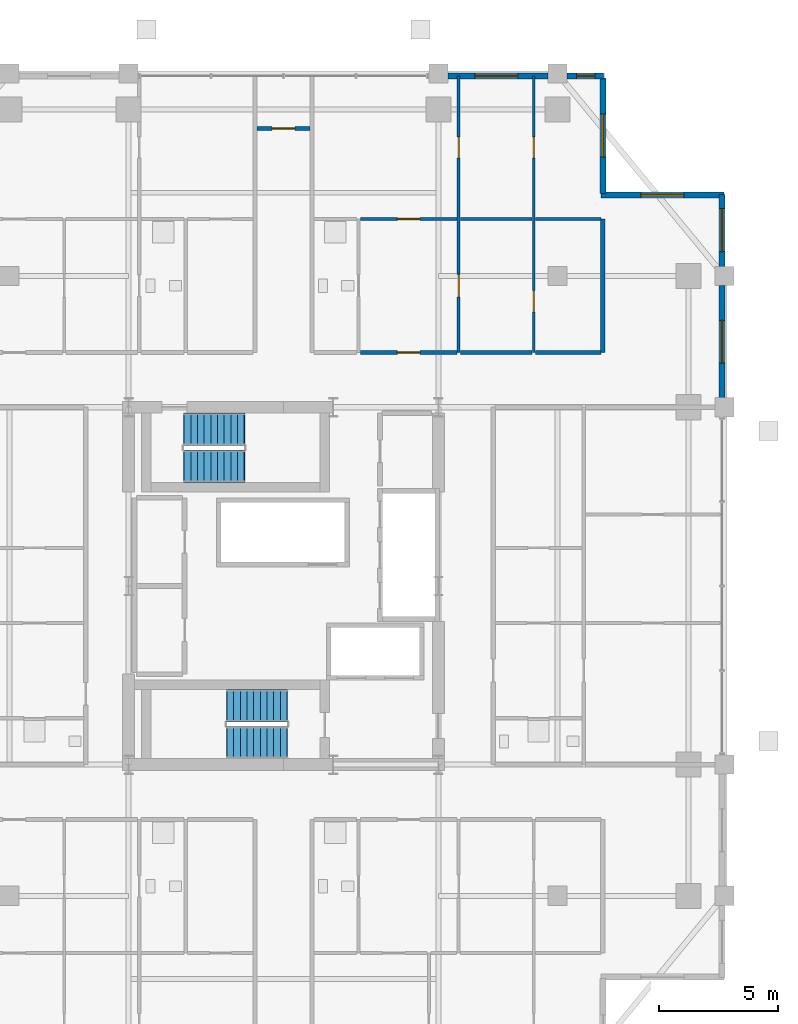
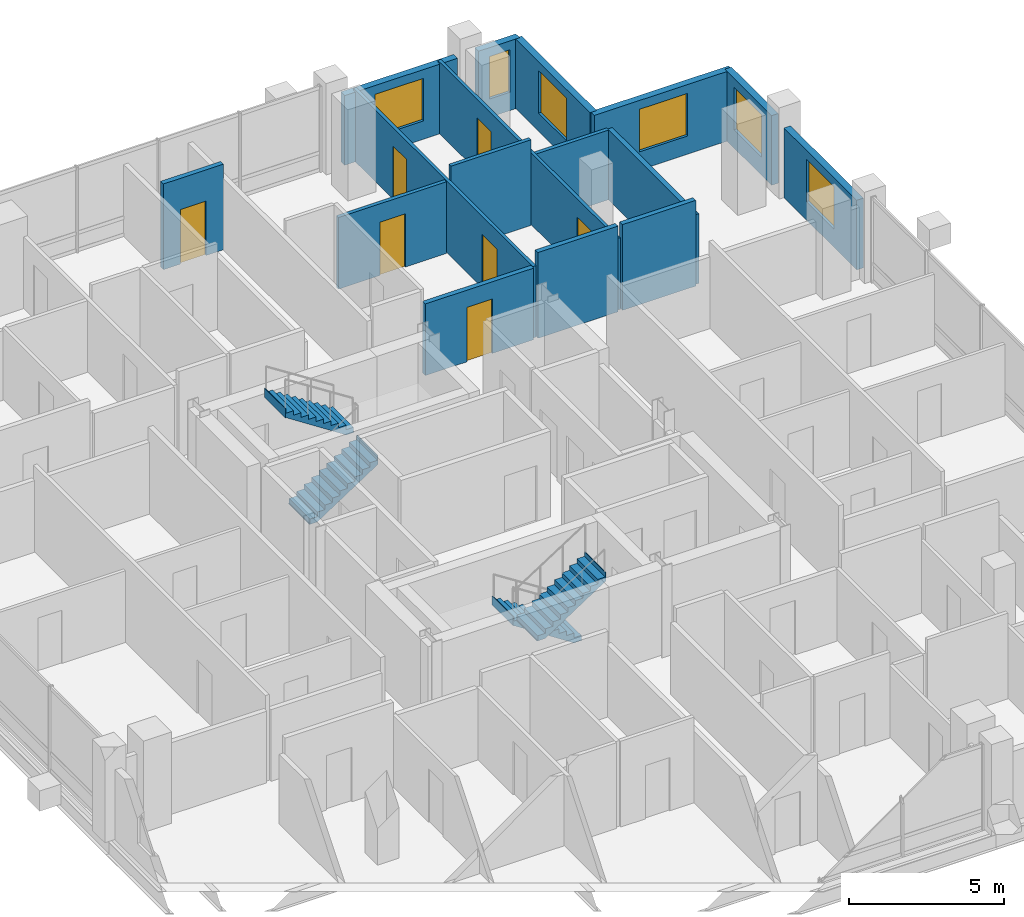
# One storey, part 22 of 24: 16 walls, 7 doors, 6 windows, 4 stair flights, 13 openings, 2 elements without a shape of their own.
"""IFC4 building model written with IfcOpenShell, lengths in metres."""

from ifc_helpers import new_model, si_unit, direction, frame, frame_2d, origin, place, context, subcontext, project, spatial, polyline, rectangle, outline, extrude, material, layer, layer_set, type_object, element, fill, aggregate, save


model = new_model("IFC4")

# Units and contexts
model_context = context("Model", 3, precision=1e-05, world=origin(), true_north=direction((0.0, 1.0)))
body_context = subcontext(model_context, "Body", "Model", "MODEL_VIEW")
ifc_project = project(units=[si_unit("LENGTHUNIT", "METRE"), si_unit("AREAUNIT", "SQUARE_METRE"), si_unit("VOLUMEUNIT", "CUBIC_METRE"), si_unit("PLANEANGLEUNIT", "RADIAN"), si_unit("MASSUNIT", "GRAM", prefix="KILO")], contexts=[model_context])

# Site, building, storey
site_placement = place(None, origin())
site = spatial("IfcSite", under=ifc_project, at=site_placement, CompositionType="ELEMENT")
building_placement = place(site_placement, origin())
building = spatial("IfcBuilding", under=site, at=building_placement, Name="Barlavira Tower and Art Museum", CompositionType="ELEMENT")
storey_placement = place(building_placement, frame((0.0, 0.0, 169.199951171875)))
storey = spatial("IfcBuildingStorey", under=building, at=storey_placement, Name="L43", CompositionType="ELEMENT", Elevation=169.199951171875)

# Wall, openings, doors
ifc_material_1 = material(Name="Gypsum acoustic stud partition", Category="gypsum")
ifc_layer_1 = layer(ifc_material_1, 0.1201171875, Name="Gypsum acoustic stud partition")
ifc_layer_set_1 = layer_set([ifc_layer_1], Name="Gypsum acoustic stud partition")
wall_type_1 = type_object("IfcWallType", Name="Apartment Internal Acoustic Partition 120", PredefinedType="PARTITIONING", material=ifc_layer_set_1)
wall_1_placement = place(storey_placement, frame((7.35009765625, 9.800048828125, 0.0), z_axis=(0.0, 0.0, 1.0), x_axis=(0.0, 1.0, 0.0)))
wall_1 = element("IfcWall", 1, at=wall_1_placement, inside=storey, type_object=wall_type_1, Name="L43 Partition Wall 22", PredefinedType="PARTITIONING", context=body_context, shape_type="SweptSolid", body=[
    extrude(rectangle(XDim=11.599853515625, YDim=0.1201171875, at=frame_2d((5.7998046875, 0.0))), origin(), (0.0, 0.0, 1.0), 2.825927734375),
])
opening_1_placement = place(wall_1_placement, frame((2.324951171875, 0.0, 0.0)))
opening_1 = element("IfcOpeningElement", 2, at=opening_1_placement, cuts=wall_1, Name="Opening D-02", PredefinedType="OPENING", context=body_context, shape_type="SweptSolid", body=[
    extrude(rectangle(XDim=0.949951171875, YDim=2.10009765625, at=frame_2d((0.47509765625, 1.050048828125))), frame((0.0, 0.070068359375, 0.0), z_axis=(0.0, -1.0, 0.0), x_axis=(1.0, 0.0, 0.0)), (0.0, 0.0, 1.0), 0.14013671875),
])
opening_2_placement = place(wall_1_placement, frame((8.14990234375, 0.0, 0.0)))
opening_2 = element("IfcOpeningElement", 3, at=opening_2_placement, cuts=wall_1, Name="Opening D-01", PredefinedType="OPENING", context=body_context, shape_type="SweptSolid", body=[
    extrude(rectangle(XDim=0.89990234375, YDim=2.10009765625, at=frame_2d((0.449951171875, 1.050048828125))), frame((0.0, 0.070068359375, 0.0), z_axis=(0.0, -1.0, 0.0), x_axis=(1.0, 0.0, 0.0)), (0.0, 0.0, 1.0), 0.14013671875),
])
ifc_material_2 = material(Name="Engineered coastal hardwood", Category="wood")
door_type_1 = type_object("IfcDoorType", Name="Internal Bedroom Timber Flush Door 900x2100", OperationType="NOTDEFINED", PredefinedType="DOOR", material=ifc_material_2)
door_1_placement = place(opening_2_placement, origin())
door_1 = element("IfcDoor", 4, at=door_1_placement, inside=storey, type_object=door_type_1, Name="Apartment NE1 Bedroom 1 Door", OperationType="SINGLE_SWING_RIGHT", OverallHeight=2.10009765625, OverallWidth=0.89990234375, PredefinedType="DOOR", context=body_context, shape_type="SweptSolid", body=[
    extrude(rectangle(XDim=0.89990234375, YDim=2.10009765625, at=frame_2d((0.449951171875, 1.050048828125))), frame((0.0, 0.02490234375, 0.0), z_axis=(0.0, -1.0, 0.0), x_axis=(1.0, 0.0, 0.0)), (0.0, 0.0, 1.0), 0.050048828125),
])
fill(opening_2, door_1)
door_type_2 = type_object("IfcDoorType", Name="Living and Salon Glazed-Leaf Door 950x2100", OperationType="NOTDEFINED", PredefinedType="DOOR", material=ifc_material_2)
door_2_placement = place(opening_1_placement, origin())
door_2 = element("IfcDoor", 5, at=door_2_placement, inside=storey, type_object=door_type_2, Name="Apartment NE1 Kitchen Door", OperationType="SINGLE_SWING_LEFT", OverallHeight=2.10009765625, OverallWidth=0.949951171875, PredefinedType="DOOR", context=body_context, shape_type="SweptSolid", body=[
    extrude(rectangle(XDim=0.949951171875, YDim=2.10009765625, at=frame_2d((0.47509765625, 1.050048828125))), frame((0.0, 0.02490234375, 0.0), z_axis=(0.0, -1.0, 0.0), x_axis=(1.0, 0.0, 0.0)), (0.0, 0.0, 1.0), 0.050048828125),
])
fill(opening_1, door_2)

wall_2_placement = place(storey_placement, frame((10.5, 9.800048828125, 0.0), z_axis=(0.0, 0.0, 1.0), x_axis=(0.0, 1.0, 0.0)))
wall_2 = element("IfcWall", 6, at=wall_2_placement, inside=storey, type_object=wall_type_1, Name="L43 Partition Wall 25", PredefinedType="PARTITIONING", context=body_context, shape_type="SweptSolid", body=[
    extrude(rectangle(XDim=11.599853515625, YDim=0.1201171875, at=frame_2d((5.7998046875, 0.0))), origin(), (0.0, 0.0, 1.0), 2.825927734375),
])
opening_3_placement = place(wall_2_placement, frame((1.694091796875, 0.0, 0.0)))
opening_3 = element("IfcOpeningElement", 7, at=opening_3_placement, cuts=wall_2, Name="Opening D-01", PredefinedType="OPENING", context=body_context, shape_type="SweptSolid", body=[
    extrude(rectangle(XDim=0.89990234375, YDim=2.10009765625, at=frame_2d((0.449951171875, 1.050048828125))), frame((0.0, 0.070068359375, 0.0), z_axis=(0.0, -1.0, 0.0), x_axis=(1.0, 0.0, 0.0)), (0.0, 0.0, 1.0), 0.14013671875),
])
opening_4_placement = place(wall_2_placement, frame((8.14990234375, 0.0, 0.0)))
opening_4 = element("IfcOpeningElement", 8, at=opening_4_placement, cuts=wall_2, Name="Opening D-01", PredefinedType="OPENING", context=body_context, shape_type="SweptSolid", body=[
    extrude(rectangle(XDim=0.89990234375, YDim=2.10009765625, at=frame_2d((0.449951171875, 1.050048828125))), frame((0.0, 0.070068359375, 0.0), z_axis=(0.0, -1.0, 0.0), x_axis=(1.0, 0.0, 0.0)), (0.0, 0.0, 1.0), 0.14013671875),
])
door_3_placement = place(opening_3_placement, origin())
door_3 = element("IfcDoor", 9, at=door_3_placement, inside=storey, type_object=door_type_1, Name="Apartment NE1 Walk-In Dressing Room Door", OperationType="SINGLE_SWING_RIGHT", OverallHeight=2.10009765625, OverallWidth=0.89990234375, PredefinedType="DOOR", context=body_context, shape_type="SweptSolid", body=[
    extrude(rectangle(XDim=0.89990234375, YDim=2.10009765625, at=frame_2d((0.449951171875, 1.050048828125))), frame((0.0, 0.02490234375, 0.0), z_axis=(0.0, -1.0, 0.0), x_axis=(1.0, 0.0, 0.0)), (0.0, 0.0, 1.0), 0.050048828125),
])
fill(opening_3, door_3)
door_4_placement = place(opening_4_placement, origin())
door_4 = element("IfcDoor", 10, at=door_4_placement, inside=storey, type_object=door_type_1, Name="Apartment NE1 Sunroom Lounge 2 Door", OperationType="SINGLE_SWING_LEFT", OverallHeight=2.10009765625, OverallWidth=0.89990234375, PredefinedType="DOOR", context=body_context, shape_type="SweptSolid", body=[
    extrude(rectangle(XDim=0.89990234375, YDim=2.10009765625, at=frame_2d((0.449951171875, 1.050048828125))), frame((0.0, 0.02490234375, 0.0), z_axis=(0.0, -1.0, 0.0), x_axis=(1.0, 0.0, 0.0)), (0.0, 0.0, 1.0), 0.050048828125),
])
fill(opening_4, door_4)

# Wall
ifc_layer_2 = layer(ifc_material_1, 0.179931640625, Name="Gypsum acoustic stud partition")
ifc_layer_set_2 = layer_set([ifc_layer_2], Name="Gypsum acoustic stud partition")
wall_type_2 = type_object("IfcWallType", Name="Inter-Tenancy Party Partition Wall 180", PredefinedType="PARTITIONING", material=ifc_layer_set_2)
wall_3_placement = place(storey_placement, frame((13.39990234375, 9.800048828125, 0.0), z_axis=(0.0, 0.0, 1.0), x_axis=(0.0, 1.0, 0.0)))
element("IfcWall", 11, at=wall_3_placement, inside=storey, type_object=wall_type_2, Name="L43 Partition Wall 28", PredefinedType="PARTITIONING", context=body_context, shape_type="SweptSolid", body=[
    extrude(rectangle(XDim=5.599853515625, YDim=0.179931640625, at=frame_2d((2.7998046875, 0.0))), origin(), (0.0, 0.0, 1.0), 2.748046875),
])

# Wall, opening, door
wall_4_placement = place(storey_placement, frame((3.22998046875, 9.800048828125, 0.0), z_axis=(0.0, 0.0, 1.0), x_axis=(1.0, 0.0, 0.0)))
wall_4 = element("IfcWall", 12, at=wall_4_placement, inside=storey, type_object=wall_type_2, Name="L43 Partition Wall 73", PredefinedType="PARTITIONING", context=body_context, shape_type="SweptSolid", body=[
    extrude(rectangle(XDim=4.0400390625, YDim=0.179931640625, at=frame_2d((2.02001953125, 0.0))), origin(), (0.0, 0.0, 1.0), 2.825927734375),
])
opening_5_placement = place(wall_4_placement, frame((1.544921875, 0.0, 0.0)))
opening_5 = element("IfcOpeningElement", 13, at=opening_5_placement, cuts=wall_4, Name="Opening FD-60", PredefinedType="OPENING", context=body_context, shape_type="SweptSolid", body=[
    extrude(rectangle(XDim=0.949951171875, YDim=2.14990234375, at=frame_2d((0.47509765625, 1.074951171875))), frame((0.0, 0.10009765625, 0.0), z_axis=(0.0, -1.0, 0.0), x_axis=(1.0, 0.0, 0.0)), (0.0, 0.0, 1.0), 0.199951171875),
])
ifc_material_3 = material(Name="Brushed stainless steel", Category="steel")
door_type_3 = type_object("IfcDoorType", Name="Apartment Entrance and Riser Fire Door 950x2150 FD60S", OperationType="NOTDEFINED", PredefinedType="DOOR", material=ifc_material_3)
door_5_placement = place(opening_5_placement, origin())
door_5 = element("IfcDoor", 14, at=door_5_placement, inside=storey, type_object=door_type_3, Name="Apartment Entrance Hall NE1 Door", OperationType="SINGLE_SWING_RIGHT", OverallHeight=2.14990234375, OverallWidth=0.949951171875, PredefinedType="DOOR", context=body_context, shape_type="SweptSolid", body=[
    extrude(rectangle(XDim=0.949951171875, YDim=2.14990234375, at=frame_2d((0.47509765625, 1.074951171875))), frame((0.0, 0.02490234375, 0.0), z_axis=(0.0, -1.0, 0.0), x_axis=(1.0, 0.0, 0.0)), (0.0, 0.0, 1.0), 0.050048828125),
])
fill(opening_5, door_5)

# Walls
wall_5_placement = place(storey_placement, frame((7.429931640625, 9.800048828125, 0.0), z_axis=(0.0, 0.0, 1.0), x_axis=(1.0, 0.0, 0.0)))
element("IfcWall", 15, at=wall_5_placement, inside=storey, type_object=wall_type_2, Name="L43 Partition Wall 74", PredefinedType="PARTITIONING", context=body_context, shape_type="SweptSolid", body=[
    extrude(rectangle(XDim=2.989990234375, YDim=0.179931640625, at=frame_2d((1.4951171875, 0.0))), origin(), (0.0, 0.0, 1.0), 3.380126953125),
])
wall_6_placement = place(storey_placement, frame((10.580078125, 9.800048828125, 0.0), z_axis=(0.0, 0.0, 1.0), x_axis=(1.0, 0.0, 0.0)))
element("IfcWall", 16, at=wall_6_placement, inside=storey, type_object=wall_type_2, Name="L43 Partition Wall 75", PredefinedType="PARTITIONING", context=body_context, shape_type="SweptSolid", body=[
    extrude(rectangle(XDim=2.739990234375, YDim=0.179931640625, at=frame_2d((1.3701171875, 0.0))), origin(), (0.0, 0.0, 1.0), 3.380126953125),
])

# Wall, opening, door
wall_7_placement = place(storey_placement, frame((-1.1201171875, 19.199951171875, 0.0), z_axis=(0.0, 0.0, 1.0), x_axis=(1.0, 0.0, 0.0)))
wall_7 = element("IfcWall", 17, at=wall_7_placement, inside=storey, type_object=wall_type_2, Name="L43 Partition Wall 84", PredefinedType="PARTITIONING", context=body_context, shape_type="SweptSolid", body=[
    extrude(rectangle(XDim=2.240234375, YDim=0.179931640625, at=frame_2d((1.1201171875, 0.0))), origin(), (0.0, 0.0, 1.0), 3.380126953125),
])
opening_6_placement = place(wall_7_placement, frame((0.64501953125, 0.0, 0.0)))
opening_6 = element("IfcOpeningElement", 18, at=opening_6_placement, cuts=wall_7, Name="Opening FD-60", PredefinedType="OPENING", context=body_context, shape_type="SweptSolid", body=[
    extrude(rectangle(XDim=0.949951171875, YDim=2.14990234375, at=frame_2d((0.47509765625, 1.074951171875))), frame((0.0, 0.10009765625, 0.0), z_axis=(0.0, -1.0, 0.0), x_axis=(1.0, 0.0, 0.0)), (0.0, 0.0, 1.0), 0.199951171875),
])
door_6_placement = place(opening_6_placement, origin())
door_6 = element("IfcDoor", 19, at=door_6_placement, inside=storey, type_object=door_type_3, Name="L43 North Ocean Alcove Door", OperationType="SINGLE_SWING_RIGHT", OverallHeight=2.14990234375, OverallWidth=0.949951171875, PredefinedType="DOOR", context=body_context, shape_type="SweptSolid", body=[
    extrude(rectangle(XDim=0.949951171875, YDim=2.14990234375, at=frame_2d((0.47509765625, 1.074951171875))), frame((0.0, 0.02490234375, 0.0), z_axis=(0.0, -1.0, 0.0), x_axis=(1.0, 0.0, 0.0)), (0.0, 0.0, 1.0), 0.050048828125),
])
fill(opening_6, door_6)

ifc_layer_3 = layer(ifc_material_1, 0.139892578125, Name="Gypsum acoustic stud partition")
ifc_layer_set_3 = layer_set([ifc_layer_3], Name="Gypsum acoustic stud partition")
wall_type_3 = type_object("IfcWallType", Name="Moisture-Resistant Bathroom Partition 140", PredefinedType="PARTITIONING", material=ifc_layer_set_3)
wall_8_placement = place(storey_placement, frame((3.22998046875, 15.39990234375, 0.0), z_axis=(0.0, 0.0, 1.0), x_axis=(1.0, 0.0, 0.0)))
wall_8 = element("IfcWall", 20, at=wall_8_placement, inside=storey, type_object=wall_type_3, Name="L43 Partition Wall 81", PredefinedType="PARTITIONING", context=body_context, shape_type="SweptSolid", body=[
    extrude(rectangle(XDim=4.0400390625, YDim=0.139892578125, at=frame_2d((2.02001953125, 0.0))), origin(), (0.0, 0.0, 1.0), 2.825927734375),
])
opening_7_placement = place(wall_8_placement, frame((1.544921875, 0.0, 0.0)))
opening_7 = element("IfcOpeningElement", 21, at=opening_7_placement, cuts=wall_8, Name="Opening D-02", PredefinedType="OPENING", context=body_context, shape_type="SweptSolid", body=[
    extrude(rectangle(XDim=0.949951171875, YDim=2.10009765625, at=frame_2d((0.47509765625, 1.050048828125))), frame((0.0, 0.080078125, 0.0), z_axis=(0.0, -1.0, 0.0), x_axis=(1.0, 0.0, 0.0)), (0.0, 0.0, 1.0), 0.159912109375),
])
door_7_placement = place(opening_7_placement, origin())
door_7 = element("IfcDoor", 22, at=door_7_placement, inside=storey, type_object=door_type_2, Name="Apartment NE1 Living Lounge Door", OperationType="SINGLE_SWING_LEFT", OverallHeight=2.10009765625, OverallWidth=0.949951171875, PredefinedType="DOOR", context=body_context, shape_type="SweptSolid", body=[
    extrude(rectangle(XDim=0.949951171875, YDim=2.10009765625, at=frame_2d((0.47509765625, 1.050048828125))), frame((0.0, 0.02490234375, 0.0), z_axis=(0.0, -1.0, 0.0), x_axis=(1.0, 0.0, 0.0)), (0.0, 0.0, 1.0), 0.050048828125),
])
fill(opening_7, door_7)

# Walls
wall_9_placement = place(storey_placement, frame((7.429931640625, 15.39990234375, 0.0), z_axis=(0.0, 0.0, 1.0), x_axis=(1.0, 0.0, 0.0)))
element("IfcWall", 23, at=wall_9_placement, inside=storey, type_object=wall_type_3, Name="L43 Partition Wall 82", PredefinedType="PARTITIONING", context=body_context, shape_type="SweptSolid", body=[
    extrude(rectangle(XDim=2.989990234375, YDim=0.139892578125, at=frame_2d((1.4951171875, 0.0))), origin(), (0.0, 0.0, 1.0), 3.380126953125),
])
wall_10_placement = place(storey_placement, frame((10.580078125, 15.39990234375, 0.0), z_axis=(0.0, 0.0, 1.0), x_axis=(1.0, 0.0, 0.0)))
element("IfcWall", 24, at=wall_10_placement, inside=storey, type_object=wall_type_3, Name="L43 Partition Wall 83", PredefinedType="PARTITIONING", context=body_context, shape_type="SweptSolid", body=[
    extrude(rectangle(XDim=2.739990234375, YDim=0.139892578125, at=frame_2d((1.3701171875, 0.0))), origin(), (0.0, 0.0, 1.0), 2.748046875),
])

# Wall, opening, window
ifc_material_4 = material(Name="Precast concrete C40", Category="concrete")
ifc_layer_4 = layer(ifc_material_4, 0.25, Name="Precast concrete C40")
ifc_layer_set_4 = layer_set([ifc_layer_4], Name="Precast concrete C40")
wall_type_4 = type_object("IfcWallType", Name="Notched Corner Spandrel Wall 250 Precast Concrete C40", PredefinedType="SOLIDWALL", material=ifc_layer_set_4)
wall_11_placement = place(storey_placement, frame((13.425048828125, 21.39990234375, 0.0), z_axis=(0.0, 0.0, 1.0), x_axis=(-1.0, 0.0, 0.0)))
wall_11 = element("IfcWall", 25, at=wall_11_placement, inside=storey, type_object=wall_type_4, Name="L43 Coastal Facade Pier Wall CW3-L43-N-1", PredefinedType="SOLIDWALL", context=body_context, shape_type="SweptSolid", body=[
    extrude(rectangle(XDim=1.530029296875, YDim=0.25, at=frame_2d((0.76513671875, 0.0))), origin(), (0.0, 0.0, 1.0), 2.748046875),
])
opening_8_placement = place(wall_11_placement, frame((0.363037109375, 0.0, 0.719970703125)))
opening_8 = element("IfcOpeningElement", 26, at=opening_8_placement, cuts=wall_11, Name="Opening WN-06", PredefinedType="OPENING", context=body_context, shape_type="SweptSolid", body=[
    extrude(rectangle(XDim=0.760009765625, YDim=1.679931640625, at=frame_2d((0.3798828125, 0.83984375))), frame((0.0, 0.135009765625, 0.0), z_axis=(0.0, -1.0, 0.0), x_axis=(1.0, 0.0, 0.0)), (0.0, 0.0, 1.0), 0.27001953125),
])
ifc_material_5 = material(Name="Low-iron coastal laminated glass", Category="glass")
window_type_1 = type_object("IfcWindowType", Name="Recessed Narrow Pier Window 760x1680", PartitioningType="SINGLE_PANEL", PredefinedType="WINDOW", material=ifc_material_5)
window_1_placement = place(opening_8_placement, origin())
window_1 = element("IfcWindow", 27, at=window_1_placement, inside=storey, type_object=window_type_1, Name="L43 Punched Facade Window EWP-CW3-L43-N-1-1", OverallHeight=1.679931640625, OverallWidth=0.760009765625, PartitioningType="SINGLE_PANEL", PredefinedType="WINDOW", context=body_context, shape_type="SweptSolid", body=[
    extrude(rectangle(XDim=0.760009765625, YDim=1.679931640625, at=frame_2d((0.3798828125, 0.83984375))), frame((0.0, 0.030029296875, 0.0), z_axis=(0.0, -1.0, 0.0), x_axis=(1.0, 0.0, 0.0)), (0.0, 0.0, 1.0), 0.06005859375),
])
fill(opening_8, window_1)

wall_12_placement = place(storey_placement, frame((11.10498046875, 21.39990234375, 0.0), z_axis=(0.0, 0.0, 1.0), x_axis=(-1.0, 0.0, 0.0)))
wall_12 = element("IfcWall", 28, at=wall_12_placement, inside=storey, type_object=wall_type_4, Name="L43 Coastal Facade Pier Wall CW3-L43-N-2", PredefinedType="SOLIDWALL", context=body_context, shape_type="SweptSolid", body=[
    extrude(rectangle(XDim=4.2099609375, YDim=0.25, at=frame_2d((2.10498046875, 0.0))), origin(), (0.0, 0.0, 1.0), 2.748046875),
])
opening_9_placement = place(wall_12_placement, frame((1.27001953125, 0.0, 0.719970703125)))
opening_9 = element("IfcOpeningElement", 29, at=opening_9_placement, cuts=wall_12, Name="Opening WN-01", PredefinedType="OPENING", context=body_context, shape_type="SweptSolid", body=[
    extrude(rectangle(XDim=1.800048828125, YDim=1.679931640625, at=frame_2d((0.89990234375, 0.83984375))), frame((0.0, 0.135009765625, 0.0), z_axis=(0.0, -1.0, 0.0), x_axis=(1.0, 0.0, 0.0)), (0.0, 0.0, 1.0), 0.27001953125),
])
window_type_2 = type_object("IfcWindowType", Name="Recessed Notch Corner Punch Window 1800x1680", PartitioningType="SINGLE_PANEL", PredefinedType="WINDOW", material=ifc_material_5)
window_2_placement = place(opening_9_placement, origin())
window_2 = element("IfcWindow", 30, at=window_2_placement, inside=storey, type_object=window_type_2, Name="L43 Punched Facade Window EWP-CW3-L43-N-2-1", OverallHeight=1.679931640625, OverallWidth=1.800048828125, PartitioningType="SINGLE_PANEL", PredefinedType="WINDOW", context=body_context, shape_type="SweptSolid", body=[
    extrude(rectangle(XDim=1.800048828125, YDim=1.679931640625, at=frame_2d((0.89990234375, 0.83984375))), frame((0.0, 0.030029296875, 0.0), z_axis=(0.0, -1.0, 0.0), x_axis=(1.0, 0.0, 0.0)), (0.0, 0.0, 1.0), 0.06005859375),
])
fill(opening_9, window_2)

wall_13_placement = place(storey_placement, frame((18.39990234375, 7.89501953125, 0.0), z_axis=(0.0, 0.0, 1.0), x_axis=(0.0, 1.0, 0.0)))
wall_13 = element("IfcWall", 31, at=wall_13_placement, inside=storey, type_object=wall_type_4, Name="L43 Coastal Facade Pier Wall CW3-L43-E-4", PredefinedType="SOLIDWALL", context=body_context, shape_type="SweptSolid", body=[
    extrude(rectangle(XDim=4.7099609375, YDim=0.25, at=frame_2d((2.35498046875, 0.0))), origin(), (0.0, 0.0, 1.0), 2.748046875),
])
opening_10_placement = place(wall_13_placement, frame((1.455078125, 0.0, 0.719970703125)))
opening_10 = element("IfcOpeningElement", 32, at=opening_10_placement, cuts=wall_13, Name="Opening WN-01", PredefinedType="OPENING", context=body_context, shape_type="SweptSolid", body=[
    extrude(rectangle(XDim=1.800048828125, YDim=1.679931640625, at=frame_2d((0.89990234375, 0.83984375))), frame((0.0, 0.135009765625, 0.0), z_axis=(0.0, -1.0, 0.0), x_axis=(1.0, 0.0, 0.0)), (0.0, 0.0, 1.0), 0.27001953125),
])
window_3_placement = place(opening_10_placement, origin())
window_3 = element("IfcWindow", 33, at=window_3_placement, inside=storey, type_object=window_type_2, Name="L43 Punched Facade Window EWP-CW3-L43-E-4-1", OverallHeight=1.679931640625, OverallWidth=1.800048828125, PartitioningType="SINGLE_PANEL", PredefinedType="WINDOW", context=body_context, shape_type="SweptSolid", body=[
    extrude(rectangle(XDim=1.800048828125, YDim=1.679931640625, at=frame_2d((0.89990234375, 0.83984375))), frame((0.0, 0.030029296875, 0.0), z_axis=(0.0, -1.0, 0.0), x_axis=(1.0, 0.0, 0.0)), (0.0, 0.0, 1.0), 0.06005859375),
])
fill(opening_10, window_3)

wall_14_placement = place(storey_placement, frame((18.39990234375, 13.39501953125, 0.0), z_axis=(0.0, 0.0, 1.0), x_axis=(0.0, 1.0, 0.0)))
wall_14 = element("IfcWall", 34, at=wall_14_placement, inside=storey, type_object=wall_type_4, Name="L43 Coastal Facade Pier Wall CW3-L43-E-5", PredefinedType="SOLIDWALL", context=body_context, shape_type="SweptSolid", body=[
    extrude(rectangle(XDim=3.030029296875, YDim=0.25, at=frame_2d((1.51513671875, 0.0))), origin(), (0.0, 0.0, 1.0), 2.748046875),
])
opening_11_placement = place(wall_14_placement, frame((0.637939453125, 0.0, 0.719970703125)))
opening_11 = element("IfcOpeningElement", 35, at=opening_11_placement, cuts=wall_14, Name="Opening WN-01", PredefinedType="OPENING", context=body_context, shape_type="SweptSolid", body=[
    extrude(rectangle(XDim=1.800048828125, YDim=1.679931640625, at=frame_2d((0.89990234375, 0.83984375))), frame((0.0, 0.135009765625, 0.0), z_axis=(0.0, -1.0, 0.0), x_axis=(1.0, 0.0, 0.0)), (0.0, 0.0, 1.0), 0.27001953125),
])
window_4_placement = place(opening_11_placement, origin())
window_4 = element("IfcWindow", 36, at=window_4_placement, inside=storey, type_object=window_type_2, Name="L43 Punched Facade Window EWP-CW3-L43-E-5-1", OverallHeight=1.679931640625, OverallWidth=1.800048828125, PartitioningType="SINGLE_PANEL", PredefinedType="WINDOW", context=body_context, shape_type="SweptSolid", body=[
    extrude(rectangle(XDim=1.800048828125, YDim=1.679931640625, at=frame_2d((0.89990234375, 0.83984375))), frame((0.0, 0.030029296875, 0.0), z_axis=(0.0, -1.0, 0.0), x_axis=(1.0, 0.0, 0.0)), (0.0, 0.0, 1.0), 0.06005859375),
])
fill(opening_11, window_4)

wall_15_placement = place(storey_placement, frame((18.47998046875, 16.39990234375, 0.0), z_axis=(0.0, 0.0, 1.0), x_axis=(-1.0, 0.0, 0.0)))
wall_15 = element("IfcWall", 37, at=wall_15_placement, inside=storey, type_object=wall_type_4, Name="L43 Notch Corner Wall NE1", PredefinedType="SOLIDWALL", context=body_context, shape_type="SweptSolid", body=[
    extrude(rectangle(XDim=5.159912109375, YDim=0.25, at=frame_2d((2.580078125, 0.0))), origin(), (0.0, 0.0, 1.0), 2.748046875),
])
opening_12_placement = place(wall_15_placement, frame((1.679931640625, 0.0, 0.719970703125)))
opening_12 = element("IfcOpeningElement", 38, at=opening_12_placement, cuts=wall_15, Name="Opening WN-01", PredefinedType="OPENING", context=body_context, shape_type="SweptSolid", body=[
    extrude(rectangle(XDim=1.800048828125, YDim=1.679931640625, at=frame_2d((0.89990234375, 0.83984375))), frame((0.0, 0.135009765625, 0.0), z_axis=(0.0, -1.0, 0.0), x_axis=(1.0, 0.0, 0.0)), (0.0, 0.0, 1.0), 0.27001953125),
])
window_5_placement = place(opening_12_placement, origin())
window_5 = element("IfcWindow", 39, at=window_5_placement, inside=storey, type_object=window_type_2, Name="L43 Punched Facade Window EW-NTC-L43-NE1-1", OverallHeight=1.679931640625, OverallWidth=1.800048828125, PartitioningType="SINGLE_PANEL", PredefinedType="WINDOW", context=body_context, shape_type="SweptSolid", body=[
    extrude(rectangle(XDim=1.800048828125, YDim=1.679931640625, at=frame_2d((0.89990234375, 0.83984375))), frame((0.0, 0.030029296875, 0.0), z_axis=(0.0, -1.0, 0.0), x_axis=(1.0, 0.0, 0.0)), (0.0, 0.0, 1.0), 0.06005859375),
])
fill(opening_12, window_5)

wall_16_placement = place(storey_placement, frame((13.39990234375, 16.47998046875, 0.0), z_axis=(0.0, 0.0, 1.0), x_axis=(0.0, 1.0, 0.0)))
wall_16 = element("IfcWall", 40, at=wall_16_placement, inside=storey, type_object=wall_type_4, Name="L43 Notch Corner Wall NE2", PredefinedType="SOLIDWALL", context=body_context, shape_type="SweptSolid", body=[
    extrude(rectangle(XDim=4.840087890625, YDim=0.25, at=frame_2d((2.419921875, 0.0))), origin(), (0.0, 0.0, 1.0), 2.748046875),
])
opening_13_placement = place(wall_16_placement, frame((1.52001953125, 0.0, 0.719970703125)))
opening_13 = element("IfcOpeningElement", 41, at=opening_13_placement, cuts=wall_16, Name="Opening WN-01", PredefinedType="OPENING", context=body_context, shape_type="SweptSolid", body=[
    extrude(rectangle(XDim=1.800048828125, YDim=1.679931640625, at=frame_2d((0.89990234375, 0.83984375))), frame((0.0, 0.135009765625, 0.0), z_axis=(0.0, -1.0, 0.0), x_axis=(1.0, 0.0, 0.0)), (0.0, 0.0, 1.0), 0.27001953125),
])
window_6_placement = place(opening_13_placement, origin())
window_6 = element("IfcWindow", 42, at=window_6_placement, inside=storey, type_object=window_type_2, Name="L43 Punched Facade Window EW-NTC-L43-NE2-1", OverallHeight=1.679931640625, OverallWidth=1.800048828125, PartitioningType="SINGLE_PANEL", PredefinedType="WINDOW", context=body_context, shape_type="SweptSolid", body=[
    extrude(rectangle(XDim=1.800048828125, YDim=1.679931640625, at=frame_2d((0.89990234375, 0.83984375))), frame((0.0, 0.030029296875, 0.0), z_axis=(0.0, -1.0, 0.0), x_axis=(1.0, 0.0, 0.0)), (0.0, 0.0, 1.0), 0.06005859375),
])
fill(opening_13, window_6)

# Stair, stair flights
ifc_material_6 = material(Name="Concrete C45", Category="concrete")
stair_type_1 = type_object("IfcStairType", Name="Tower North Dog-Leg Exit Stair Assembly Concrete C45", PredefinedType="TWO_QUARTER_TURN_STAIR", material=ifc_material_6)
stair_1_placement = place(storey_placement, origin())
stair_1 = element("IfcStair", 43, at=stair_1_placement, inside=storey, type_object=stair_type_1, Name="L43 Tower North Exit Stair ST-T2", PredefinedType="TWO_QUARTER_TURN_STAIR")
ifc_material_7 = material(Name="Precast concrete C45", Category="concrete")
stair_flight_type_1 = type_object("IfcStairFlightType", Name="Tower North Dog-Leg Exit Stair Precast Flight 1350 Concrete C45", PredefinedType="STRAIGHT", material=ifc_material_7)
stair_flight_1_placement = place(storey_placement, frame((-4.169921875, 5.02490234375, 0.0), z_axis=(0.0, 0.0, 1.0), x_axis=(1.0, 0.0, 0.0)))
stair_flight_1 = element("IfcStairFlight", 44, at=stair_flight_1_placement, type_object=stair_flight_type_1, Name="ST-T2 flight 1", NumberOfRisers=10, NumberOfTreads=9, PredefinedType="STRAIGHT", RiserHeight=0.18, TreadLength=0.28, context=body_context, shape_type="SweptSolid", body=[
    extrude(outline(polyline([(-0.02490234375, 0.0), (0.0, 0.0), (0.0, 0.179931640625), (0.280029296875, 0.179931640625), (0.280029296875, 0.360107421875), (0.56005859375, 0.360107421875), (0.56005859375, 0.5400390625), (0.840087890625, 0.5400390625), (0.840087890625, 0.719970703125), (1.1201171875, 0.719970703125), (1.1201171875, 0.89990234375), (1.39990234375, 0.89990234375), (1.39990234375, 1.080078125), (1.679931640625, 1.080078125), (1.679931640625, 1.260009765625), (1.9599609375, 1.260009765625), (1.9599609375, 1.43994140625), (2.239990234375, 1.43994140625), (2.239990234375, 1.6201171875), (2.52001953125, 1.6201171875), (2.52001953125, 1.800048828125), (2.544921875, 1.800048828125), (2.544921875, 1.44189453125), (2.52001953125, 1.44189453125), (0.277099609375, -0.02490234375), (-0.02490234375, -0.02490234375), (-0.02490234375, 0.0)])), frame((0.0, 0.675048828125, 0.0), z_axis=(0.0, -1.0, 0.0), x_axis=(1.0, 0.0, 0.0)), (0.0, 0.0, 1.0), 1.35009765625),
])
stair_flight_2_placement = place(storey_placement, frame((-1.64990234375, 6.574951171875, 1.800048828125), z_axis=(0.0, 0.0, 1.0), x_axis=(-1.0, 0.0, 0.0)))
stair_flight_2 = element("IfcStairFlight", 45, at=stair_flight_2_placement, type_object=stair_flight_type_1, Name="ST-T2 flight 2", NumberOfRisers=10, NumberOfTreads=9, PredefinedType="STRAIGHT", RiserHeight=0.18, TreadLength=0.28, context=body_context, shape_type="SweptSolid", body=[
    extrude(outline(polyline([(-0.02490234375, 0.0), (0.0, 0.0), (0.0, 0.179931640625), (0.280029296875, 0.179931640625), (0.280029296875, 0.360107421875), (0.56005859375, 0.360107421875), (0.56005859375, 0.5400390625), (0.840087890625, 0.5400390625), (0.840087890625, 0.719970703125), (1.1201171875, 0.719970703125), (1.1201171875, 0.89990234375), (1.39990234375, 0.89990234375), (1.39990234375, 1.080078125), (1.679931640625, 1.080078125), (1.679931640625, 1.260009765625), (1.9599609375, 1.260009765625), (1.9599609375, 1.43994140625), (2.239990234375, 1.43994140625), (2.239990234375, 1.6201171875), (2.52001953125, 1.6201171875), (2.52001953125, 1.800048828125), (2.544921875, 1.800048828125), (2.544921875, 1.44189453125), (2.52001953125, 1.44189453125), (0.277099609375, -0.02490234375), (-0.02490234375, -0.02490234375), (-0.02490234375, 0.0)])), frame((0.0, 0.675048828125, 0.0), z_axis=(0.0, -1.0, 0.0), x_axis=(1.0, 0.0, 0.0)), (0.0, 0.0, 1.0), 1.35009765625),
])
aggregate(stair_1, [stair_flight_1, stair_flight_2])

stair_type_2 = type_object("IfcStairType", Name="Tower South Dog-Leg Exit Stair Assembly Concrete C45", PredefinedType="TWO_QUARTER_TURN_STAIR", material=ifc_material_6)
stair_2_placement = place(storey_placement, origin())
stair_2 = element("IfcStair", 46, at=stair_2_placement, inside=storey, type_object=stair_type_2, Name="L43 Tower South Exit Stair ST-T1", PredefinedType="TWO_QUARTER_TURN_STAIR")
stair_flight_type_2 = type_object("IfcStairFlightType", Name="Tower South Dog-Leg Exit Stair Precast Flight 1350 Concrete C45", PredefinedType="STRAIGHT", material=ifc_material_7)
stair_flight_3_placement = place(storey_placement, frame((0.14990234375, -5.02490234375, 0.0), z_axis=(0.0, 0.0, 1.0), x_axis=(-1.0, 0.0, 0.0)))
stair_flight_3 = element("IfcStairFlight", 47, at=stair_flight_3_placement, type_object=stair_flight_type_2, Name="ST-T1 flight 1", NumberOfRisers=10, NumberOfTreads=9, PredefinedType="STRAIGHT", RiserHeight=0.18, TreadLength=0.28, context=body_context, shape_type="SweptSolid", body=[
    extrude(outline(polyline([(-0.02490234375, 0.0), (0.0, 0.0), (0.0, 0.179931640625), (0.280029296875, 0.179931640625), (0.280029296875, 0.360107421875), (0.56005859375, 0.360107421875), (0.56005859375, 0.5400390625), (0.840087890625, 0.5400390625), (0.840087890625, 0.719970703125), (1.1201171875, 0.719970703125), (1.1201171875, 0.89990234375), (1.39990234375, 0.89990234375), (1.39990234375, 1.080078125), (1.679931640625, 1.080078125), (1.679931640625, 1.260009765625), (1.9599609375, 1.260009765625), (1.9599609375, 1.43994140625), (2.239990234375, 1.43994140625), (2.239990234375, 1.6201171875), (2.52001953125, 1.6201171875), (2.52001953125, 1.800048828125), (2.544921875, 1.800048828125), (2.544921875, 1.44189453125), (2.52001953125, 1.44189453125), (0.277099609375, -0.02490234375), (-0.02490234375, -0.02490234375), (-0.02490234375, 0.0)])), frame((0.0, 0.675048828125, 0.0), z_axis=(0.0, -1.0, 0.0), x_axis=(1.0, 0.0, 0.0)), (0.0, 0.0, 1.0), 1.35009765625),
])
stair_flight_4_placement = place(storey_placement, frame((-2.3701171875, -6.574951171875, 1.800048828125), z_axis=(0.0, 0.0, 1.0), x_axis=(1.0, 0.0, 0.0)))
stair_flight_4 = element("IfcStairFlight", 48, at=stair_flight_4_placement, type_object=stair_flight_type_2, Name="ST-T1 flight 2", NumberOfRisers=10, NumberOfTreads=9, PredefinedType="STRAIGHT", RiserHeight=0.18, TreadLength=0.28, context=body_context, shape_type="SweptSolid", body=[
    extrude(outline(polyline([(-0.02490234375, 0.0), (0.0, 0.0), (0.0, 0.179931640625), (0.280029296875, 0.179931640625), (0.280029296875, 0.360107421875), (0.56005859375, 0.360107421875), (0.56005859375, 0.5400390625), (0.840087890625, 0.5400390625), (0.840087890625, 0.719970703125), (1.1201171875, 0.719970703125), (1.1201171875, 0.89990234375), (1.39990234375, 0.89990234375), (1.39990234375, 1.080078125), (1.679931640625, 1.080078125), (1.679931640625, 1.260009765625), (1.9599609375, 1.260009765625), (1.9599609375, 1.43994140625), (2.239990234375, 1.43994140625), (2.239990234375, 1.6201171875), (2.52001953125, 1.6201171875), (2.52001953125, 1.800048828125), (2.544921875, 1.800048828125), (2.544921875, 1.44189453125), (2.52001953125, 1.44189453125), (0.277099609375, -0.02490234375), (-0.02490234375, -0.02490234375), (-0.02490234375, 0.0)])), frame((0.0, 0.675048828125, 0.0), z_axis=(0.0, -1.0, 0.0), x_axis=(1.0, 0.0, 0.0)), (0.0, 0.0, 1.0), 1.35009765625),
])
aggregate(stair_2, [stair_flight_3, stair_flight_4])

save(model, "model.ifc")
